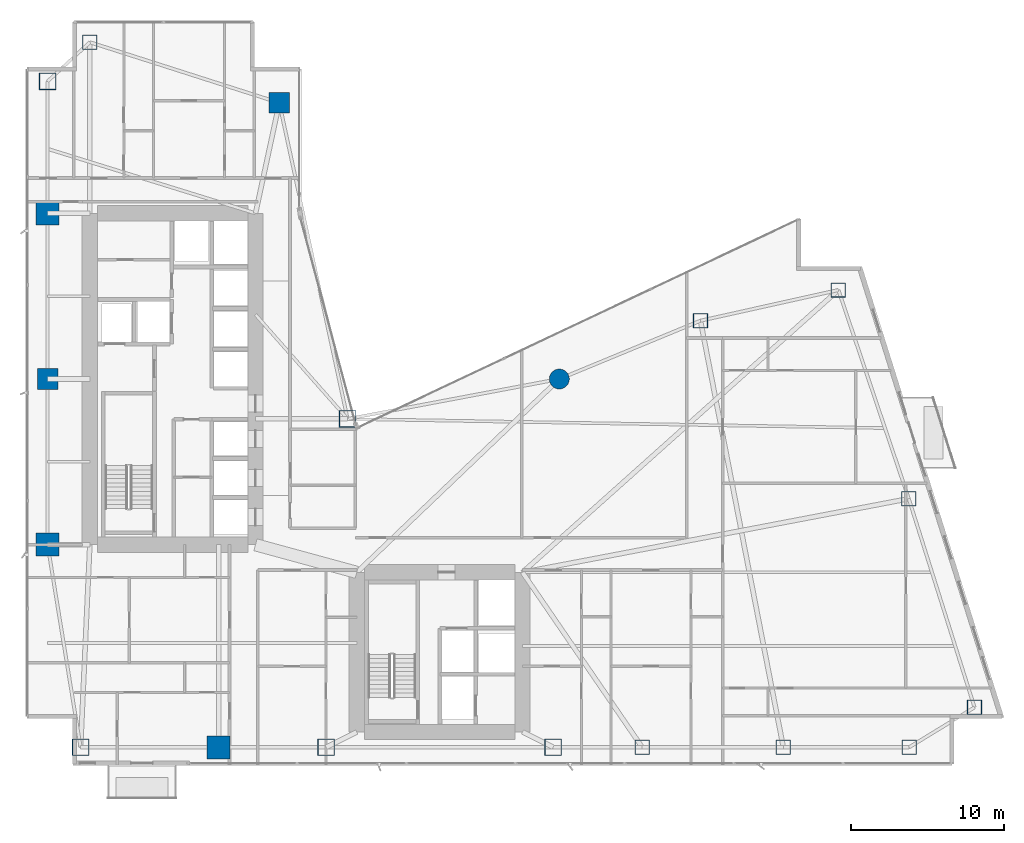
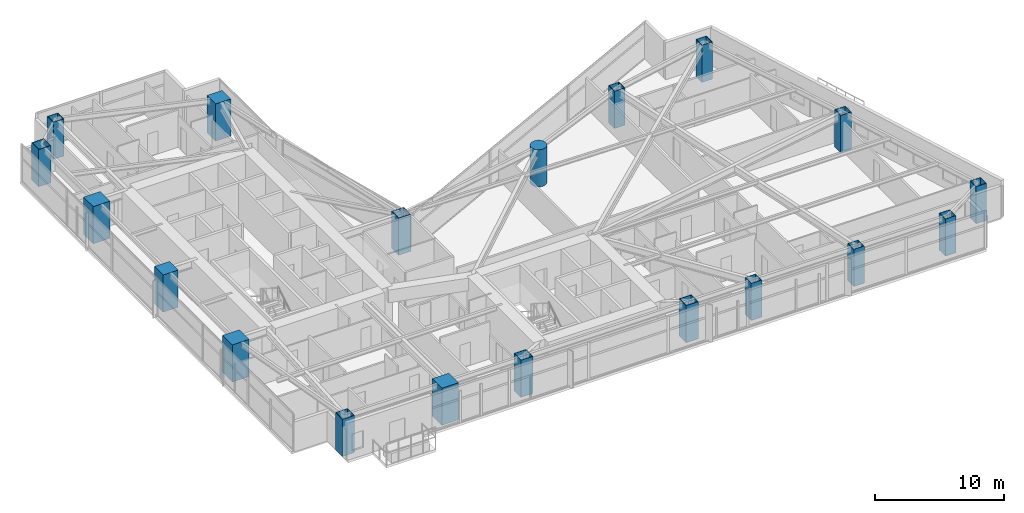
# One storey, part 1 of 28: 19 columns.
"""IFC4 building model written with IfcOpenShell, lengths in metres."""

from ifc_helpers import new_model, si_unit, direction, frame, origin, origin_2d, place, context, subcontext, project, spatial, rectangle, hollow_rectangle, circle, extrude, material, material_profile, profile_set, type_object, element, save


model = new_model("IFC4")

# Units and contexts
model_context = context("Model", 3, precision=1e-05, world=origin(), true_north=direction((0.0, 1.0)))
body_context = subcontext(model_context, "Body", "Model", "MODEL_VIEW")
ifc_project = project(units=[si_unit("LENGTHUNIT", "METRE"), si_unit("AREAUNIT", "SQUARE_METRE"), si_unit("VOLUMEUNIT", "CUBIC_METRE"), si_unit("PLANEANGLEUNIT", "RADIAN"), si_unit("MASSUNIT", "GRAM", prefix="KILO")], contexts=[model_context])

# Site, building, storey
site_placement = place(None, origin())
site = spatial("IfcSite", under=ifc_project, at=site_placement, CompositionType="ELEMENT")
building_placement = place(site_placement, origin())
building = spatial("IfcBuilding", under=site, at=building_placement, Name="Calvorn Quay Hotel", CompositionType="ELEMENT")
storey_placement = place(building_placement, frame((0.0, 0.0, 88.800048828125)))
storey = spatial("IfcBuildingStorey", under=building, at=storey_placement, Name="L21", CompositionType="ELEMENT", Elevation=88.800048828125)

# Columns
ifc_material_1 = material(Name="Concrete C60", Category="concrete")
ifc_material_profile_1 = material_profile(ifc_material_1, rectangle(XDim=1.35009765625, YDim=1.35009765625, at=origin_2d()), Name="RC1350x1350")
ifc_profile_set_1 = profile_set([ifc_material_profile_1], Name="Concrete C60")
column_type_1 = type_object("IfcColumnType", Name="COL-RC-1350", PredefinedType="COLUMN", material=ifc_profile_set_1)
for number, where, z_axis, x_axis, name in (
    (1, (1.449951171875, 27.60009765625, 0.0), (0.0, 0.0, 1.0), (1.0, 0.0, 0.0), "Column C-W3 (L21)"),
    (2, (16.550048828125, 45.60009765625, 0.0), (0.0, 0.0, 1.0), (1.0, 0.0, 0.0), "Column C-IC1 (L21)"),
):
    element("IfcColumn", number, at=place(storey_placement, frame(where, z_axis=z_axis, x_axis=x_axis)), inside=storey, type_object=column_type_1, Name=name, PredefinedType="COLUMN", context=body_context, shape_type="SweptSolid", body=[
        extrude(rectangle(XDim=1.35009765625, YDim=1.35009765625, at=origin_2d()), origin(), (0.0, 0.0, 1.0), 3.52001953125),
    ])
ifc_material_2 = material(Name="Concrete C60", Category="concrete")
ifc_material_profile_2 = material_profile(ifc_material_2, rectangle(XDim=1.5, YDim=1.5, at=origin_2d()), Name="RC1500x1500")
ifc_profile_set_2 = profile_set([ifc_material_profile_2], Name="Concrete C60")
column_type_2 = type_object("IfcColumnType", Name="COL-RC-1500", PredefinedType="COLUMN", material=ifc_profile_set_2)
for number, where, z_axis, x_axis, name in (
    (3, (1.449951171875, 16.800048828125, 0.0), (0.0, 0.0, 1.0), (1.0, 0.0, 0.0), "Column C-W2 (L21)"),
    (4, (1.449951171875, 38.39990234375, 0.0), (0.0, 0.0, 1.0), (1.0, 0.0, 0.0), "Column C-W4 (L21)"),
    (5, (12.60009765625, 3.60009765625, 0.0), (0.0, 0.0, 1.0), (1.0, 0.0, 0.0), "Column C-S1 (L21)"),
):
    element("IfcColumn", number, at=place(storey_placement, frame(where, z_axis=z_axis, x_axis=x_axis)), inside=storey, type_object=column_type_2, Name=name, PredefinedType="COLUMN", context=body_context, shape_type="SweptSolid", body=[
        extrude(rectangle(XDim=1.5, YDim=1.5, at=origin_2d()), origin(), (0.0, 0.0, 1.0), 3.52001953125),
    ])
ifc_material_3 = material(Name="Concrete C60", Category="concrete")
ifc_material_profile_3 = material_profile(ifc_material_3, circle(Radius=0.64990234375, at=origin_2d()), Name="RCD1300")
ifc_profile_set_3 = profile_set([ifc_material_profile_3], Name="Concrete C60")
column_type_3 = type_object("IfcColumnType", Name="COL-RC-D1300", PredefinedType="COLUMN", material=ifc_profile_set_3)
column_placement = place(storey_placement, frame((34.800048828125, 27.60009765625, 0.0), z_axis=(0.0, 0.0, 1.0), x_axis=(1.0, 0.0, 0.0)))
element("IfcColumn", 6, at=column_placement, inside=storey, type_object=column_type_3, Name="Column C-NC1 (L21)", PredefinedType="COLUMN", context=body_context, shape_type="SweptSolid", body=[
    extrude(circle(Radius=0.64990234375, at=origin_2d()), origin(), (0.0, 0.0, 1.0), 3.52001953125),
])
ifc_material_4 = material(Name="Steel Q420GJC", Category="steel")
ifc_material_profile_4 = material_profile(ifc_material_4, hollow_rectangle(XDim=1.10009765625, YDim=1.10009765625, WallThickness=0.044921875, at=origin_2d()), Name="BOX1100x1100x45")
ifc_profile_set_4 = profile_set([ifc_material_profile_4], Name="Steel Q420GJC")
column_type_4 = type_object("IfcColumnType", Name="COL-STL-MEGA1", PredefinedType="COLUMN", material=ifc_profile_set_4)
for number, where, z_axis, x_axis, name in (
    (7, (3.60009765625, 3.60009765625, 0.0), (0.0, 0.0, 1.0), (1.0, 0.0, 0.0), "Column C-W1 (L21)"),
    (8, (1.449951171875, 47.0, 0.0), (0.0, 0.0, 1.0), (1.0, 0.0, 0.0), "Column C-W5 (L21)"),
    (9, (21.0, 25.0, 0.0), (0.0, 0.0, 1.0), (1.0, 0.0, 0.0), "Column C-IC2 (L21)"),
    (10, (19.60009765625, 3.60009765625, 0.0), (0.0, 0.0, 1.0), (1.0, 0.0, 0.0), "Column C-S2 (L21)"),
    (11, (34.39990234375, 3.60009765625, 0.0), (0.0, 0.0, 1.0), (1.0, 0.0, 0.0), "Column C-S3 (L21)"),
):
    element("IfcColumn", number, at=place(storey_placement, frame(where, z_axis=z_axis, x_axis=x_axis)), inside=storey, type_object=column_type_4, Name=name, PredefinedType="COLUMN", context=body_context, shape_type="SweptSolid", body=[
        extrude(hollow_rectangle(XDim=1.10009765625, YDim=1.10009765625, WallThickness=0.044921875, at=origin_2d()), origin(), (0.0, 0.0, 1.0), 3.52001953125),
    ])
ifc_material_5 = material(Name="Steel Q420GJC", Category="steel")
ifc_material_profile_5 = material_profile(ifc_material_5, hollow_rectangle(XDim=0.949951171875, YDim=0.949951171875, WallThickness=0.0400390625, at=origin_2d()), Name="BOX950x950x40")
ifc_profile_set_5 = profile_set([ifc_material_profile_5], Name="Steel Q420GJC")
column_type_5 = type_object("IfcColumnType", Name="COL-STL-MEGA2", PredefinedType="COLUMN", material=ifc_profile_set_5)
for number, where, z_axis, x_axis, name in (
    (12, (4.199951171875, 49.550048828125, 0.0), (0.0, 0.0, 1.0), (1.0, 0.0, 0.0), "Column C-NW1 (L21)"),
    (13, (40.199951171875, 3.60009765625, 0.0), (0.0, 0.0, 1.0), (1.0, 0.0, 0.0), "Column C-S4 (L21)"),
    (14, (49.39990234375, 3.60009765625, 0.0), (0.0, 0.0, 1.0), (1.0, 0.0, 0.0), "Column C-S5 (L21)"),
    (15, (57.60009765625, 3.60009765625, 0.0), (0.0, 0.0, 1.0), (1.0, 0.0, 0.0), "Column C-S6 (L21)"),
    (16, (44.0, 31.39990234375, 0.0), (0.0, 0.0, 1.0), (1.0, 0.0, 0.0), "Column C-NC2 (L21)"),
    (17, (61.861083984375, 6.199951171875, 0.0), (0.0, 0.0, 1.0), (1.0, 0.0, 0.0), "Column C-ET1 (L21)"),
    (18, (57.575927734375, 19.800048828125, 0.0), (0.0, 0.0, 1.0), (1.0, 0.0, 0.0), "Column C-ET2 (L21)"),
    (19, (52.990966796875, 33.39990234375, 0.0), (0.0, 0.0, 1.0), (1.0, 0.0, 0.0), "Column C-ET3 (L21)"),
):
    element("IfcColumn", number, at=place(storey_placement, frame(where, z_axis=z_axis, x_axis=x_axis)), inside=storey, type_object=column_type_5, Name=name, PredefinedType="COLUMN", context=body_context, shape_type="SweptSolid", body=[
        extrude(hollow_rectangle(XDim=0.949951171875, YDim=0.949951171875, WallThickness=0.0400390625, at=origin_2d()), origin(), (0.0, 0.0, 1.0), 3.52001953125),
    ])

save(model, "model.ifc")
